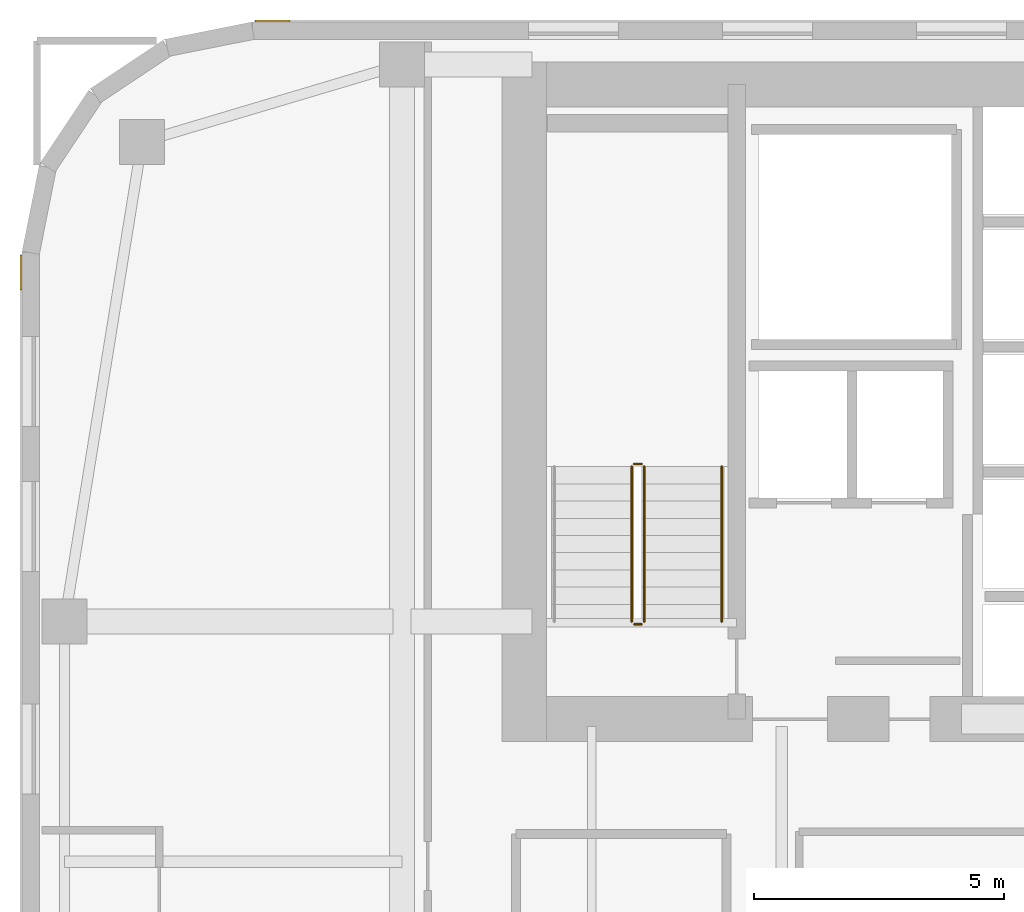
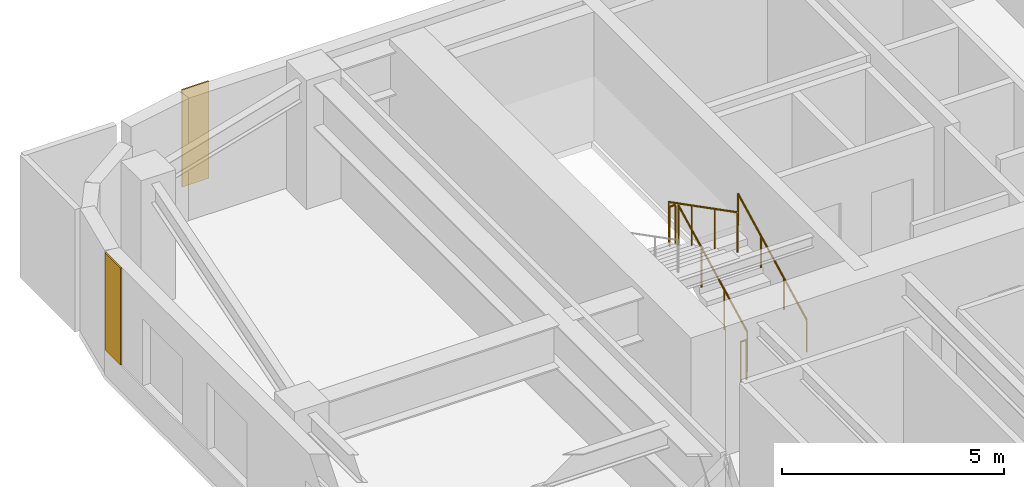
# One storey, part 22 of 24: 5 railings, 2 coverings.
"""IFC4 building model written with IfcOpenShell, lengths in metres."""

from ifc_helpers import new_model, si_unit, direction, frame, origin, origin_2d, place, context, subcontext, project, spatial, polyline, circle, outline, extrude, material, layer, layer_set, type_object, element, save


model = new_model("IFC4")

# Units and contexts
model_context = context("Model", 3, precision=1e-05, world=origin(), true_north=direction((0.0, 1.0)))
body_context = subcontext(model_context, "Body", "Model", "MODEL_VIEW")
ifc_project = project(units=[si_unit("LENGTHUNIT", "METRE"), si_unit("AREAUNIT", "SQUARE_METRE"), si_unit("VOLUMEUNIT", "CUBIC_METRE"), si_unit("PLANEANGLEUNIT", "RADIAN"), si_unit("MASSUNIT", "GRAM", prefix="KILO")], contexts=[model_context])

# Site, building, storey
site_placement = place(None, origin())
site = spatial("IfcSite", under=ifc_project, at=site_placement, CompositionType="ELEMENT")
building_placement = place(site_placement, origin())
building = spatial("IfcBuilding", under=site, at=building_placement, Name="Tolvann Quenvar Hotel", CompositionType="ELEMENT")
storey_placement = place(building_placement, frame((0.0, 0.0, 81.699951171875)))
storey = spatial("IfcBuildingStorey", under=building, at=storey_placement, Name="L20", CompositionType="ELEMENT", Elevation=81.699951171875)

# Coverings
ifc_material_1 = material(Name="Kiln-fired red architectural face brick cladding", Category="masonry")
ifc_layer = layer(ifc_material_1, 0.0400390625)
ifc_layer_set = layer_set([ifc_layer], Name="Kiln-fired red architectural face brick cladding")
covering_type = type_object("IfcCoveringType", Name="COV_CLAD_BRICK_40", PredefinedType="CLADDING", material=ifc_layer_set)
covering_1_placement = place(storey_placement, frame((0.0, 0.0, 0.699951171875)))
element("IfcCovering", 1, at=covering_1_placement, inside=storey, type_object=covering_type, Name="Brick Pier Cladding (L20-E18-P2)", PredefinedType="CLADDING", context=body_context, shape_type="SweptSolid", body=[
    extrude(outline(polyline([(5.3671875, 46.0), (4.667236328125, 46.0), (4.667236328125, 46.0400390625), (5.3671875, 46.0400390625), (5.3671875, 46.0)])), origin(), (0.0, 0.0, 1.0), 2.670166015625),
])
covering_2_placement = place(storey_placement, frame((0.0, 0.0, 0.699951171875)))
element("IfcCovering", 2, at=covering_2_placement, inside=storey, type_object=covering_type, Name="Brick Pier Cladding (L20-E23-P1)", PredefinedType="CLADDING", context=body_context, shape_type="SweptSolid", body=[
    extrude(outline(polyline([(0.0, 41.332763671875), (0.0, 40.6328125), (-0.0400390625, 40.6328125), (-0.0400390625, 41.332763671875), (0.0, 41.332763671875)])), origin(), (0.0, 0.0, 1.0), 2.670166015625),
])

# Railings
ifc_material_2 = material(Name="Brushed 316 stainless steel balustrade and handrail", Category="steel")
railing_type_1 = type_object("IfcRailingType", Name="GUARDRAIL", PredefinedType="GUARDRAIL", material=ifc_material_2)
railing_1_placement = place(storey_placement, frame((12.449951171875, 34.0, 0.177490234375)))
element("IfcRailing", 3, at=railing_1_placement, inside=storey, type_object=railing_type_1, Name="L20 ST-C1 stair guard 1", PredefinedType="GUARDRAIL", context=body_context, shape_type="SweptSolid", body=[
    extrude(circle(Radius=0.02392578125, at=origin_2d()), frame((0.0, 0.0, 1.09619140625), z_axis=(0.0, 0.88919353882, 0.457531256332), x_axis=(-1.0, 0.0, 0.0)), (0.0, 0.0, 1.0), 3.491943359375),
    extrude(circle(Radius=0.02099609375, at=origin_2d()), origin(), (0.0, 0.0, 1.0), 1.072021484375),
    extrude(circle(Radius=0.02099609375, at=origin_2d()), frame((0.0, 1.034912109375, 0.532470703125)), (0.0, 0.0, 1.0), 1.072021484375),
    extrude(circle(Radius=0.02099609375, at=origin_2d()), frame((0.0, 2.070068359375, 1.065185546875)), (0.0, 0.0, 1.0), 1.072021484375),
    extrude(circle(Radius=0.02099609375, at=origin_2d()), frame((0.0, 3.10498046875, 1.59765625)), (0.0, 0.0, 1.0), 1.072021484375),
])
railing_2_placement = place(storey_placement, frame((12.39990234375, 37.155029296875, 1.775146484375)))
element("IfcRailing", 4, at=railing_2_placement, inside=storey, type_object=railing_type_1, Name="L20 ST-C1 stair guard 2", PredefinedType="GUARDRAIL", context=body_context, shape_type="SweptSolid", body=[
    extrude(circle(Radius=0.02392578125, at=origin_2d()), frame((0.0, 0.0, 1.09619140625), z_axis=(-1.0, 0.0, 0.0), x_axis=(0.0, -1.0, 0.0)), (0.0, 0.0, 1.0), 0.14990234375),
    extrude(circle(Radius=0.02099609375, at=origin_2d()), origin(), (0.0, 0.0, 1.0), 1.072021484375),
    extrude(circle(Radius=0.02099609375, at=origin_2d()), frame((-0.14990234375, 0.0, 0.0)), (0.0, 0.0, 1.0), 1.072021484375),
])
railing_3_placement = place(storey_placement, frame((12.199951171875, 37.10498046875, 1.95263671875)))
element("IfcRailing", 5, at=railing_3_placement, inside=storey, type_object=railing_type_1, Name="L20 ST-C1 stair guard 3", PredefinedType="GUARDRAIL", context=body_context, shape_type="SweptSolid", body=[
    extrude(circle(Radius=0.02392578125, at=origin_2d()), frame((0.0, 0.0, 1.09619140625), z_axis=(0.0, -0.889221982265, 0.45747597342), x_axis=(1.0, 0.0, 0.0)), (0.0, 0.0, 1.0), 3.49169921875),
    extrude(circle(Radius=0.02099609375, at=origin_2d()), origin(), (0.0, 0.0, 1.0), 1.072021484375),
    extrude(circle(Radius=0.02099609375, at=origin_2d()), frame((0.0, -1.034912109375, 0.532470703125)), (0.0, 0.0, 1.0), 1.072021484375),
    extrude(circle(Radius=0.02099609375, at=origin_2d()), frame((0.0, -2.070068359375, 1.06494140625)), (0.0, 0.0, 1.0), 1.072021484375),
    extrude(circle(Radius=0.02099609375, at=origin_2d()), frame((0.0, -3.10498046875, 1.597412109375)), (0.0, 0.0, 1.0), 1.072021484375),
])
railing_4_placement = place(storey_placement, frame((12.39990234375, 33.949951171875, 0.0)))
element("IfcRailing", 6, at=railing_4_placement, inside=storey, type_object=railing_type_1, Name="L20 ST-C1 stair guard 4", PredefinedType="GUARDRAIL", context=body_context, shape_type="SweptSolid", body=[
    extrude(circle(Radius=0.02392578125, at=origin_2d()), frame((0.0, 0.0, 1.09619140625), z_axis=(-1.0, 0.0, 0.0), x_axis=(0.0, -1.0, 0.0)), (0.0, 0.0, 1.0), 0.14990234375),
    extrude(circle(Radius=0.02099609375, at=origin_2d()), origin(), (0.0, 0.0, 1.0), 1.072021484375),
    extrude(circle(Radius=0.02099609375, at=origin_2d()), frame((-0.14990234375, 0.0, 0.0)), (0.0, 0.0, 1.0), 1.072021484375),
])
railing_type_2 = type_object("IfcRailingType", Name="HANDRAIL", PredefinedType="HANDRAIL", material=ifc_material_2)
railing_5_placement = place(storey_placement, frame((14.0, 34.0, 0.177490234375)))
element("IfcRailing", 7, at=railing_5_placement, inside=storey, type_object=railing_type_2, Name="L20 ST-C1 stair handrail 1", PredefinedType="HANDRAIL", context=body_context, shape_type="SweptSolid", body=[
    extrude(circle(Radius=0.02392578125, at=origin_2d()), frame((0.0, 0.0, 0.8759765625), z_axis=(0.0, 0.88919353882, 0.457531256332), x_axis=(-1.0, 0.0, 0.0)), (0.0, 0.0, 1.0), 3.491943359375),
    extrude(circle(Radius=0.02099609375, at=origin_2d()), origin(), (0.0, 0.0, 1.0), 0.851806640625),
    extrude(circle(Radius=0.02099609375, at=origin_2d()), frame((0.0, 1.034912109375, 0.532470703125)), (0.0, 0.0, 1.0), 0.851806640625),
    extrude(circle(Radius=0.02099609375, at=origin_2d()), frame((0.0, 2.070068359375, 1.065185546875)), (0.0, 0.0, 1.0), 0.851806640625),
    extrude(circle(Radius=0.02099609375, at=origin_2d()), frame((0.0, 3.10498046875, 1.59765625)), (0.0, 0.0, 1.0), 0.851806640625),
])

save(model, "model.ifc")
